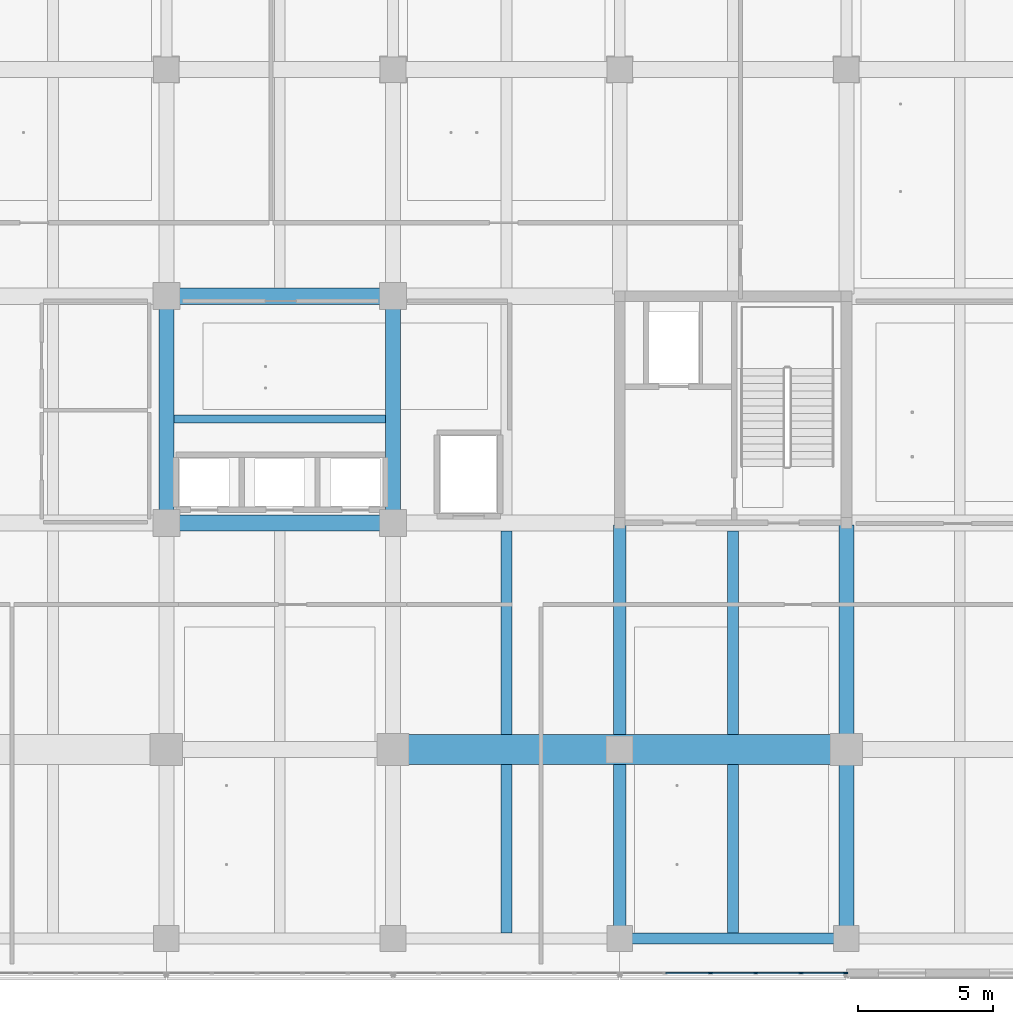
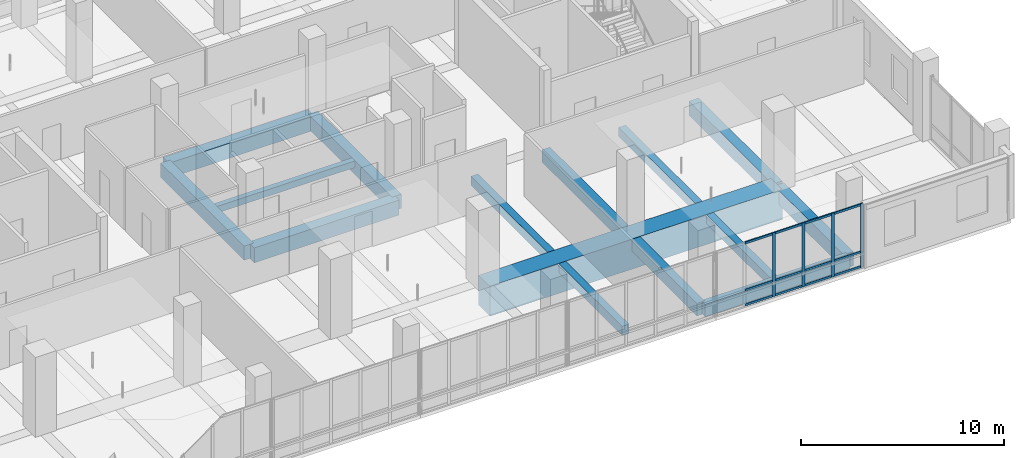
# One storey, part 18 of 122: 16 members, 15 beams, 1 element without a shape of its own.
"""IFC4 building model written with IfcOpenShell, lengths in metres."""

from ifc_helpers import new_model, si_unit, direction, frame, origin, origin_2d, place, context, subcontext, project, spatial, rectangle, extrude, material, layer, layer_set, material_profile, profile_set, type_object, element, aggregate, save


model = new_model("IFC4")

# Units and contexts
model_context = context("Model", 3, precision=1e-05, world=origin(), true_north=direction((0.0, 1.0)))
body_context = subcontext(model_context, "Body", "Model", "MODEL_VIEW")
ifc_project = project(units=[si_unit("LENGTHUNIT", "METRE"), si_unit("AREAUNIT", "SQUARE_METRE"), si_unit("VOLUMEUNIT", "CUBIC_METRE"), si_unit("PLANEANGLEUNIT", "RADIAN"), si_unit("MASSUNIT", "GRAM", prefix="KILO")], contexts=[model_context])

# Site, building, storey
site_placement = place(None, origin())
site = spatial("IfcSite", under=ifc_project, at=site_placement, CompositionType="ELEMENT")
building_placement = place(site_placement, origin())
building = spatial("IfcBuilding", under=site, at=building_placement, Name="Telukmera Botanical Conservatory", CompositionType="ELEMENT")
storey_placement = place(building_placement, frame((0.0, 0.0, 10.199951171875)))
storey = spatial("IfcBuildingStorey", under=building, at=storey_placement, Name="L02", CompositionType="ELEMENT", Elevation=10.199951171875)

# Beams
ifc_material_1 = material(Name="Concrete C40/50", Category="concrete")
ifc_material_profile_1 = material_profile(ifc_material_1, rectangle(XDim=0.39990234375, YDim=0.550048828125, at=origin_2d()), Name="RC 400x550")
ifc_profile_set_1 = profile_set([ifc_material_profile_1], Name="Concrete C40/50")
beam_type_1 = type_object("IfcBeamType", Name="Beam_B19", PredefinedType="JOIST", material=ifc_profile_set_1)
beam_1_placement = place(storey_placement, frame((88.199951171875, 10.800048828125, -0.27490234375), z_axis=(0.0, 1.0, 0.0), x_axis=(-1.0, 0.0, 0.0)))
element("IfcBeam", 1, at=beam_1_placement, inside=storey, type_object=beam_type_1, Name="Tower Secondary Floor Joist L02", PredefinedType="JOIST", context=body_context, shape_type="SweptSolid", body=[
    extrude(rectangle(XDim=0.39990234375, YDim=0.550048828125, at=origin_2d()), origin(), (0.0, 0.0, 1.0), 6.25),
])
beam_2_placement = place(storey_placement, frame((88.199951171875, 18.14990234375, -0.27490234375), z_axis=(0.0, 1.0, 0.0), x_axis=(-1.0, 0.0, 0.0)))
element("IfcBeam", 2, at=beam_2_placement, inside=storey, type_object=beam_type_1, Name="Tower Secondary Floor Joist L02", PredefinedType="JOIST", context=body_context, shape_type="SweptSolid", body=[
    extrude(rectangle(XDim=0.39990234375, YDim=0.550048828125, at=origin_2d()), origin(), (0.0, 0.0, 1.0), 7.550048828125),
])
beam_3_placement = place(storey_placement, frame((96.60009765625, 10.800048828125, -0.27490234375), z_axis=(0.0, 1.0, 0.0), x_axis=(-1.0, 0.0, 0.0)))
element("IfcBeam", 3, at=beam_3_placement, inside=storey, type_object=beam_type_1, Name="Tower Secondary Floor Joist L02", PredefinedType="JOIST", context=body_context, shape_type="SweptSolid", body=[
    extrude(rectangle(XDim=0.39990234375, YDim=0.550048828125, at=origin_2d()), origin(), (0.0, 0.0, 1.0), 6.25),
])
beam_4_placement = place(storey_placement, frame((96.60009765625, 18.14990234375, -0.27490234375), z_axis=(0.0, 1.0, 0.0), x_axis=(-1.0, 0.0, 0.0)))
element("IfcBeam", 4, at=beam_4_placement, inside=storey, type_object=beam_type_1, Name="Tower Secondary Floor Joist L02", PredefinedType="JOIST", context=body_context, shape_type="SweptSolid", body=[
    extrude(rectangle(XDim=0.39990234375, YDim=0.550048828125, at=origin_2d()), origin(), (0.0, 0.0, 1.0), 7.550048828125),
])
ifc_material_profile_2 = material_profile(ifc_material_1, rectangle(XDim=0.60009765625, YDim=0.89990234375, at=origin_2d()), Name="RC 600x900")
ifc_profile_set_2 = profile_set([ifc_material_profile_2], Name="Concrete C40/50")
beam_type_2 = type_object("IfcBeamType", Name="Beam_B3", PredefinedType="BEAM", material=ifc_profile_set_2)
for number, where, z_axis, x_axis, name in (
    (5, (75.679931640625, 26.0, -0.449951171875), (1.0, 0.0, 0.0), (0.0, 1.0, 0.0), "Tower Grid Beam L02"),
    (6, (75.679931640625, 34.39990234375, -0.449951171875), (1.0, 0.0, 0.0), (0.0, 1.0, 0.0), "Tower Grid Beam L02"),
):
    element("IfcBeam", number, at=place(storey_placement, frame(where, z_axis=z_axis, x_axis=x_axis)), inside=storey, type_object=beam_type_2, Name=name, PredefinedType="BEAM", context=body_context, shape_type="SweptSolid", body=[
        extrude(rectangle(XDim=0.60009765625, YDim=0.89990234375, at=origin_2d()), origin(), (0.0, 0.0, 1.0), 8.239990234375),
    ])
ifc_material_profile_3 = material_profile(ifc_material_1, rectangle(XDim=0.550048828125, YDim=0.85009765625, at=origin_2d()), Name="RC 550x850")
ifc_profile_set_3 = profile_set([ifc_material_profile_3], Name="Concrete C40/50")
beam_type_3 = type_object("IfcBeamType", Name="Beam_B4", PredefinedType="BEAM", material=ifc_profile_set_3)
for number, where, z_axis, x_axis, name in (
    (7, (75.60009765625, 26.080078125, -0.425048828125), (0.0, 1.0, 0.0), (-1.0, 0.0, 0.0), "Tower Transverse Beam L02"),
    (8, (84.0, 26.080078125, -0.425048828125), (0.0, 1.0, 0.0), (-1.0, 0.0, 0.0), "Tower Transverse Beam L02"),
):
    element("IfcBeam", number, at=place(storey_placement, frame(where, z_axis=z_axis, x_axis=x_axis)), inside=storey, type_object=beam_type_3, Name=name, PredefinedType="BEAM", context=body_context, shape_type="SweptSolid", body=[
        extrude(rectangle(XDim=0.550048828125, YDim=0.85009765625, at=origin_2d()), origin(), (0.0, 0.0, 1.0), 8.239990234375),
    ])
beam_5_placement = place(storey_placement, frame((100.800048828125, 10.679931640625, -0.425048828125), z_axis=(0.0, 1.0, 0.0), x_axis=(-1.0, 0.0, 0.0)))
element("IfcBeam", 9, at=beam_5_placement, inside=storey, type_object=beam_type_3, Name="Tower Transverse Beam L02", PredefinedType="BEAM", context=body_context, shape_type="SweptSolid", body=[
    extrude(rectangle(XDim=0.550048828125, YDim=0.85009765625, at=origin_2d()), origin(), (0.0, 0.0, 1.0), 6.840087890625),
])
beam_6_placement = place(storey_placement, frame((100.800048828125, 17.679931640625, -0.425048828125), z_axis=(0.0, 1.0, 0.0), x_axis=(-1.0, 0.0, 0.0)))
element("IfcBeam", 10, at=beam_6_placement, inside=storey, type_object=beam_type_3, Name="Tower Transverse Beam L02", PredefinedType="BEAM", context=body_context, shape_type="SweptSolid", body=[
    extrude(rectangle(XDim=0.550048828125, YDim=0.85009765625, at=origin_2d()), origin(), (0.0, 0.0, 1.0), 8.239990234375),
])
ifc_material_profile_4 = material_profile(ifc_material_1, rectangle(XDim=0.449951171875, YDim=0.75, at=origin_2d()), Name="RC 450x750")
ifc_profile_set_4 = profile_set([ifc_material_profile_4], Name="Concrete C40/50")
beam_type_4 = type_object("IfcBeamType", Name="Beam_B6", PredefinedType="BEAM", material=ifc_profile_set_4)
beam_7_placement = place(storey_placement, frame((92.39990234375, 10.679931640625, -0.375), z_axis=(0.0, 1.0, 0.0), x_axis=(-1.0, 0.0, 0.0)))
element("IfcBeam", 11, at=beam_7_placement, inside=storey, type_object=beam_type_4, Name="Tower Hall Secondary Girder L02", PredefinedType="BEAM", context=body_context, shape_type="SweptSolid", body=[
    extrude(rectangle(XDim=0.449951171875, YDim=0.75, at=origin_2d()), origin(), (0.0, 0.0, 1.0), 6.3701171875),
])
beam_8_placement = place(storey_placement, frame((92.39990234375, 18.14990234375, -0.375), z_axis=(0.0, 1.0, 0.0), x_axis=(-1.0, 0.0, 0.0)))
element("IfcBeam", 12, at=beam_8_placement, inside=storey, type_object=beam_type_4, Name="Tower Hall Secondary Girder L02", PredefinedType="BEAM", context=body_context, shape_type="SweptSolid", body=[
    extrude(rectangle(XDim=0.449951171875, YDim=0.75, at=origin_2d()), origin(), (0.0, 0.0, 1.0), 7.77001953125),
])
ifc_material_2 = material(Name="Precast concrete C40/50", Category="concrete")
ifc_material_profile_5 = material_profile(ifc_material_2, rectangle(XDim=0.300048828125, YDim=0.39990234375, at=origin_2d()), Name="PC 300x400")
ifc_profile_set_5 = profile_set([ifc_material_profile_5], Name="Precast concrete C40/50")
beam_type_5 = type_object("IfcBeamType", Name="Beam_LN1", PredefinedType="LINTEL", material=ifc_profile_set_5)
beam_9_placement = place(storey_placement, frame((75.875, 29.85009765625, -0.199951171875), z_axis=(1.0, 0.0, 0.0), x_axis=(0.0, 1.0, 0.0)))
element("IfcBeam", 13, at=beam_9_placement, inside=storey, type_object=beam_type_5, Name="Tower Lift Bank Header Lintel L02", PredefinedType="LINTEL", context=body_context, shape_type="SweptSolid", body=[
    extrude(rectangle(XDim=0.300048828125, YDim=0.39990234375, at=origin_2d()), origin(), (0.0, 0.0, 1.0), 7.85009765625),
])
ifc_material_profile_6 = material_profile(ifc_material_2, rectangle(XDim=0.39990234375, YDim=0.75, at=origin_2d()), Name="PC 400x750")
ifc_profile_set_6 = profile_set([ifc_material_profile_6], Name="Precast concrete C40/50")
beam_type_6 = type_object("IfcBeamType", Name="Beam_SP1", PredefinedType="SPANDREL", material=ifc_profile_set_6)
beam_10_placement = place(storey_placement, frame((92.47998046875, 10.60009765625, -0.375), z_axis=(1.0, 0.0, 0.0), x_axis=(0.0, 1.0, 0.0)))
element("IfcBeam", 14, at=beam_10_placement, inside=storey, type_object=beam_type_6, Name="Tower Grid Beam L02", PredefinedType="SPANDREL", context=body_context, shape_type="SweptSolid", body=[
    extrude(rectangle(XDim=0.39990234375, YDim=0.75, at=origin_2d()), origin(), (0.0, 0.0, 1.0), 8.239990234375),
])
ifc_material_3 = material(Name="Concrete C50/60", Category="concrete")
ifc_material_profile_7 = material_profile(ifc_material_3, rectangle(XDim=1.10009765625, YDim=1.800048828125, at=origin_2d()), Name="RC 1100x1800")
ifc_profile_set_7 = profile_set([ifc_material_profile_7], Name="Concrete C50/60")
beam_type_7 = type_object("IfcBeamType", Name="Beam_TG1", PredefinedType="BEAM", material=ifc_profile_set_7)
beam_11_placement = place(storey_placement, frame((84.080078125, 17.60009765625, -0.89990234375), z_axis=(1.0, 0.0, 0.0), x_axis=(0.0, 1.0, 0.0)))
element("IfcBeam", 15, at=beam_11_placement, inside=storey, type_object=beam_type_7, Name="Transfer Girder TG1 (84.0-100.8)", PredefinedType="BEAM", context=body_context, shape_type="SweptSolid", body=[
    extrude(rectangle(XDim=1.10009765625, YDim=1.800048828125, at=origin_2d()), origin(), (0.0, 0.0, 1.0), 16.639892578125),
])

# Curtain wall, members
ifc_material_4 = material(Name="Anodised aluminium 6063-T6", Category="aluminium")
ifc_layer = layer(ifc_material_4, 0.179931640625)
ifc_layer_set = layer_set([ifc_layer], Name="Anodised aluminium 6063-T6")
curtain_wall_type = type_object("IfcCurtainWallType", Name="Tower Reference Library Curtain Wall", PredefinedType="USERDEFINED", material=ifc_layer_set)
curtain_wall_placement = place(storey_placement, origin())
curtain_wall = element("IfcCurtainWall", 16, at=curtain_wall_placement, inside=storey, type_object=curtain_wall_type, Name="Unitised Curtain Wall CW13 V4:L02:S6", ObjectType="UNITISED CURTAIN WALL", PredefinedType="USERDEFINED")
ifc_material_profile_8 = material_profile(ifc_material_4, rectangle(XDim=0.06494140625, YDim=0.159912109375, at=origin_2d()), Name="ALU MULL 65x160")
ifc_profile_set_8 = profile_set([ifc_material_profile_8], Name="Anodised aluminium 6063-T6")
member_type_1 = type_object("IfcMemberType", Name="Curtain Wall Extruded Mullion 65x160", PredefinedType="MULLION", material=ifc_profile_set_8)
member_1_placement = place(storey_placement, frame((95.760498046875, 9.320068359375, 0.0), z_axis=(0.0, 0.0, 1.0), x_axis=(0.0, 1.0, 0.0)))
member_1 = element("IfcMember", 17, at=member_1_placement, type_object=member_type_1, Name="CW13 mullion 3", PredefinedType="MULLION", context=body_context, shape_type="SweptSolid", body=[
    extrude(rectangle(XDim=0.06494140625, YDim=0.159912109375, at=origin_2d()), origin(), (0.0, 0.0, 1.0), 3.85009765625),
])
member_2_placement = place(storey_placement, frame((97.439697265625, 9.320068359375, 0.0), z_axis=(0.0, 0.0, 1.0), x_axis=(0.0, 1.0, 0.0)))
member_2 = element("IfcMember", 18, at=member_2_placement, type_object=member_type_1, Name="CW13 mullion 4", PredefinedType="MULLION", context=body_context, shape_type="SweptSolid", body=[
    extrude(rectangle(XDim=0.06494140625, YDim=0.159912109375, at=origin_2d()), origin(), (0.0, 0.0, 1.0), 3.85009765625),
])
member_3_placement = place(storey_placement, frame((99.118896484375, 9.320068359375, 0.0), z_axis=(0.0, 0.0, 1.0), x_axis=(0.0, 1.0, 0.0)))
member_3 = element("IfcMember", 19, at=member_3_placement, type_object=member_type_1, Name="CW13 mullion 5", PredefinedType="MULLION", context=body_context, shape_type="SweptSolid", body=[
    extrude(rectangle(XDim=0.06494140625, YDim=0.159912109375, at=origin_2d()), origin(), (0.0, 0.0, 1.0), 3.85009765625),
])
member_4_placement = place(storey_placement, frame((100.765380859375, 9.320068359375, 0.0), z_axis=(0.0, 0.0, 1.0), x_axis=(0.0, 1.0, 0.0)))
member_4 = element("IfcMember", 20, at=member_4_placement, type_object=member_type_1, Name="CW13 mullion 6", PredefinedType="MULLION", context=body_context, shape_type="SweptSolid", body=[
    extrude(rectangle(XDim=0.06494140625, YDim=0.159912109375, at=origin_2d()), origin(), (0.0, 0.0, 1.0), 3.85009765625),
])
ifc_material_profile_9 = material_profile(ifc_material_4, rectangle(XDim=0.06494140625, YDim=0.1298828125, at=origin_2d()), Name="ALU TRAN 65x130")
ifc_profile_set_9 = profile_set([ifc_material_profile_9], Name="Anodised aluminium 6063-T6")
member_type_2 = type_object("IfcMemberType", Name="Curtain Wall Extruded Transom 65x130", PredefinedType="USERDEFINED", material=ifc_profile_set_9)
member_5_placement = place(storey_placement, frame((94.11376953125, 9.320068359375, 0.06494140625), z_axis=(1.0, 0.0, 0.0), x_axis=(0.0, 1.0, 0.0)))
member_5 = element("IfcMember", 21, at=member_5_placement, type_object=member_type_2, Name="CW13 transom 2.1", ObjectType="TRANSOM", PredefinedType="USERDEFINED", context=body_context, shape_type="SweptSolid", body=[
    extrude(rectangle(XDim=0.06494140625, YDim=0.1298828125, at=origin_2d()), origin(), (0.0, 0.0, 1.0), 1.614013671875),
])
member_6_placement = place(storey_placement, frame((94.11376953125, 9.320068359375, 0.949951171875), z_axis=(1.0, 0.0, 0.0), x_axis=(0.0, 1.0, 0.0)))
member_6 = element("IfcMember", 22, at=member_6_placement, type_object=member_type_2, Name="CW13 transom 2.2", ObjectType="TRANSOM", PredefinedType="USERDEFINED", context=body_context, shape_type="SweptSolid", body=[
    extrude(rectangle(XDim=0.06494140625, YDim=0.1298828125, at=origin_2d()), origin(), (0.0, 0.0, 1.0), 1.614013671875),
])
member_7_placement = place(storey_placement, frame((94.11376953125, 9.320068359375, 3.78515625), z_axis=(1.0, 0.0, 0.0), x_axis=(0.0, 1.0, 0.0)))
member_7 = element("IfcMember", 23, at=member_7_placement, type_object=member_type_2, Name="CW13 transom 2.3", ObjectType="TRANSOM", PredefinedType="USERDEFINED", context=body_context, shape_type="SweptSolid", body=[
    extrude(rectangle(XDim=0.06494140625, YDim=0.1298828125, at=origin_2d()), origin(), (0.0, 0.0, 1.0), 1.614013671875),
])
member_8_placement = place(storey_placement, frame((95.79296875, 9.320068359375, 0.06494140625), z_axis=(1.0, 0.0, 0.0), x_axis=(0.0, 1.0, 0.0)))
member_8 = element("IfcMember", 24, at=member_8_placement, type_object=member_type_2, Name="CW13 transom 3.1", ObjectType="TRANSOM", PredefinedType="USERDEFINED", context=body_context, shape_type="SweptSolid", body=[
    extrude(rectangle(XDim=0.06494140625, YDim=0.1298828125, at=origin_2d()), origin(), (0.0, 0.0, 1.0), 1.614013671875),
])
member_9_placement = place(storey_placement, frame((95.79296875, 9.320068359375, 0.949951171875), z_axis=(1.0, 0.0, 0.0), x_axis=(0.0, 1.0, 0.0)))
member_9 = element("IfcMember", 25, at=member_9_placement, type_object=member_type_2, Name="CW13 transom 3.2", ObjectType="TRANSOM", PredefinedType="USERDEFINED", context=body_context, shape_type="SweptSolid", body=[
    extrude(rectangle(XDim=0.06494140625, YDim=0.1298828125, at=origin_2d()), origin(), (0.0, 0.0, 1.0), 1.614013671875),
])
member_10_placement = place(storey_placement, frame((95.79296875, 9.320068359375, 3.78515625), z_axis=(1.0, 0.0, 0.0), x_axis=(0.0, 1.0, 0.0)))
member_10 = element("IfcMember", 26, at=member_10_placement, type_object=member_type_2, Name="CW13 transom 3.3", ObjectType="TRANSOM", PredefinedType="USERDEFINED", context=body_context, shape_type="SweptSolid", body=[
    extrude(rectangle(XDim=0.06494140625, YDim=0.1298828125, at=origin_2d()), origin(), (0.0, 0.0, 1.0), 1.614013671875),
])
member_11_placement = place(storey_placement, frame((97.47216796875, 9.320068359375, 0.06494140625), z_axis=(1.0, 0.0, 0.0), x_axis=(0.0, 1.0, 0.0)))
member_11 = element("IfcMember", 27, at=member_11_placement, type_object=member_type_2, Name="CW13 transom 4.1", ObjectType="TRANSOM", PredefinedType="USERDEFINED", context=body_context, shape_type="SweptSolid", body=[
    extrude(rectangle(XDim=0.06494140625, YDim=0.1298828125, at=origin_2d()), origin(), (0.0, 0.0, 1.0), 1.614013671875),
])
member_12_placement = place(storey_placement, frame((97.47216796875, 9.320068359375, 0.949951171875), z_axis=(1.0, 0.0, 0.0), x_axis=(0.0, 1.0, 0.0)))
member_12 = element("IfcMember", 28, at=member_12_placement, type_object=member_type_2, Name="CW13 transom 4.2", ObjectType="TRANSOM", PredefinedType="USERDEFINED", context=body_context, shape_type="SweptSolid", body=[
    extrude(rectangle(XDim=0.06494140625, YDim=0.1298828125, at=origin_2d()), origin(), (0.0, 0.0, 1.0), 1.614013671875),
])
member_13_placement = place(storey_placement, frame((97.47216796875, 9.320068359375, 3.78515625), z_axis=(1.0, 0.0, 0.0), x_axis=(0.0, 1.0, 0.0)))
member_13 = element("IfcMember", 29, at=member_13_placement, type_object=member_type_2, Name="CW13 transom 4.3", ObjectType="TRANSOM", PredefinedType="USERDEFINED", context=body_context, shape_type="SweptSolid", body=[
    extrude(rectangle(XDim=0.06494140625, YDim=0.1298828125, at=origin_2d()), origin(), (0.0, 0.0, 1.0), 1.614013671875),
])
member_14_placement = place(storey_placement, frame((99.1513671875, 9.320068359375, 0.06494140625), z_axis=(1.0, 0.0, 0.0), x_axis=(0.0, 1.0, 0.0)))
member_14 = element("IfcMember", 30, at=member_14_placement, type_object=member_type_2, Name="CW13 transom 5.1", ObjectType="TRANSOM", PredefinedType="USERDEFINED", context=body_context, shape_type="SweptSolid", body=[
    extrude(rectangle(XDim=0.06494140625, YDim=0.1298828125, at=origin_2d()), origin(), (0.0, 0.0, 1.0), 1.58154296875),
])
member_15_placement = place(storey_placement, frame((99.1513671875, 9.320068359375, 0.949951171875), z_axis=(1.0, 0.0, 0.0), x_axis=(0.0, 1.0, 0.0)))
member_15 = element("IfcMember", 31, at=member_15_placement, type_object=member_type_2, Name="CW13 transom 5.2", ObjectType="TRANSOM", PredefinedType="USERDEFINED", context=body_context, shape_type="SweptSolid", body=[
    extrude(rectangle(XDim=0.06494140625, YDim=0.1298828125, at=origin_2d()), origin(), (0.0, 0.0, 1.0), 1.58154296875),
])
member_16_placement = place(storey_placement, frame((99.1513671875, 9.320068359375, 3.78515625), z_axis=(1.0, 0.0, 0.0), x_axis=(0.0, 1.0, 0.0)))
member_16 = element("IfcMember", 32, at=member_16_placement, type_object=member_type_2, Name="CW13 transom 5.3", ObjectType="TRANSOM", PredefinedType="USERDEFINED", context=body_context, shape_type="SweptSolid", body=[
    extrude(rectangle(XDim=0.06494140625, YDim=0.1298828125, at=origin_2d()), origin(), (0.0, 0.0, 1.0), 1.58154296875),
])
aggregate(curtain_wall, [member_1, member_2, member_3, member_4, member_5, member_6, member_7, member_8, member_9, member_10, member_11, member_12, member_13, member_14, member_15, member_16])

save(model, "model.ifc")
